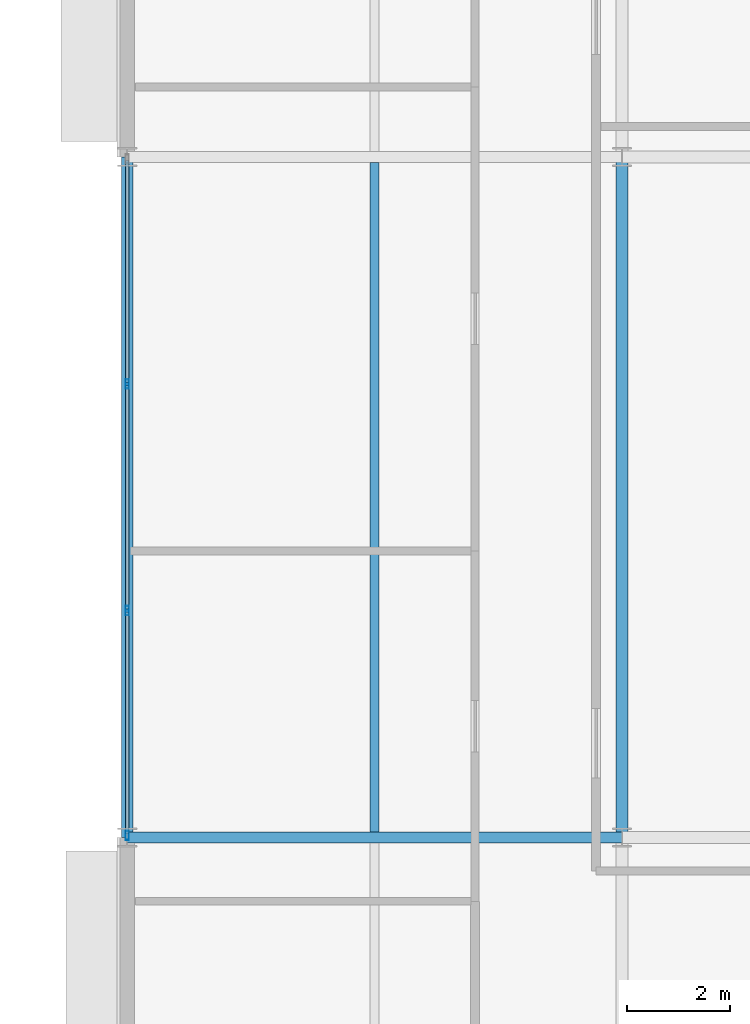
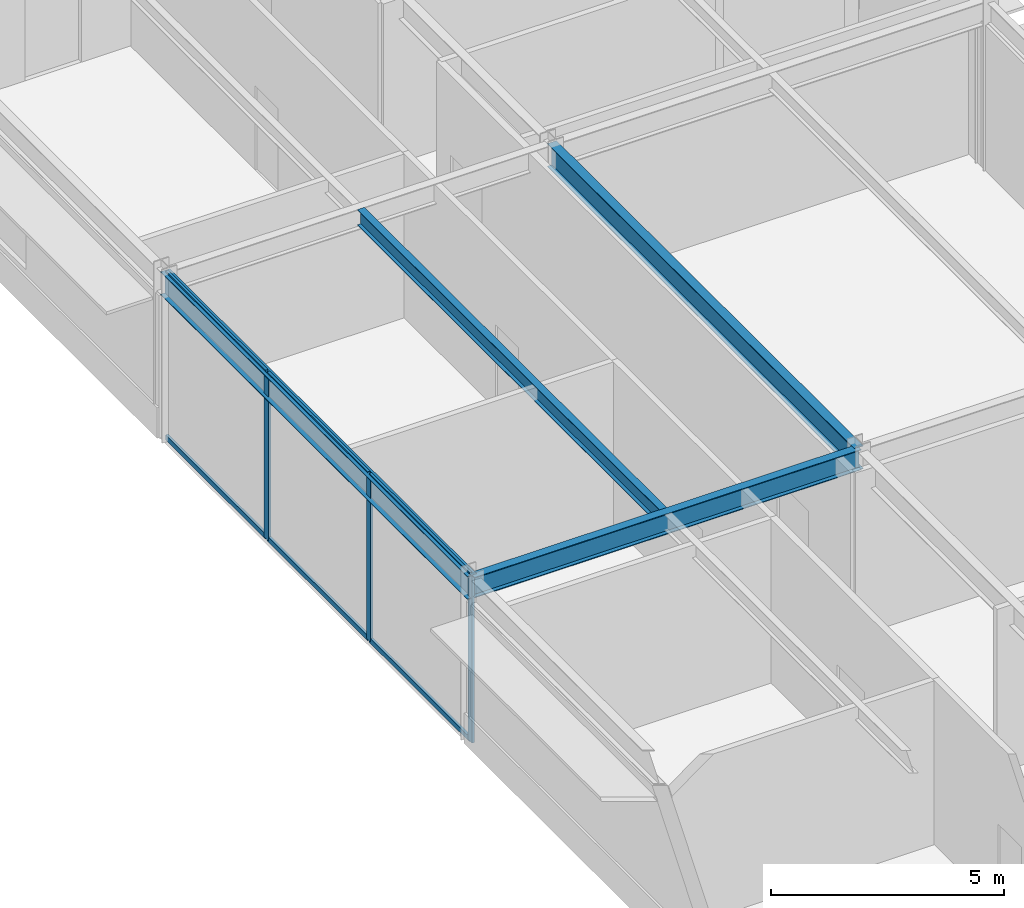
# One storey, part 52 of 89: 9 members, 4 beams, 1 element without a shape of its own.
"""IFC4 building model written with IfcOpenShell, lengths in metres."""

from ifc_helpers import new_model, si_unit, direction, frame, origin, origin_2d, place, context, subcontext, project, spatial, hollow_rectangle, i_section, extrude, material, material_profile, profile_set, type_object, element, aggregate, save


model = new_model("IFC4")

# Units and contexts
model_context = context("Model", 3, precision=1e-05, world=origin(), true_north=direction((0.0, 1.0)))
body_context = subcontext(model_context, "Body", "Model", "MODEL_VIEW")
ifc_project = project(units=[si_unit("LENGTHUNIT", "METRE"), si_unit("AREAUNIT", "SQUARE_METRE"), si_unit("VOLUMEUNIT", "CUBIC_METRE"), si_unit("PLANEANGLEUNIT", "RADIAN"), si_unit("MASSUNIT", "GRAM", prefix="KILO")], contexts=[model_context])

# Site, building, storey
site_placement = place(None, origin())
site = spatial("IfcSite", under=ifc_project, at=site_placement, CompositionType="ELEMENT")
building_placement = place(site_placement, origin())
building = spatial("IfcBuilding", under=site, at=building_placement, Name="Almandine Court Research Institute", CompositionType="ELEMENT")
storey_placement = place(building_placement, frame((0.0, 0.0, 18.89990234375)))
storey = spatial("IfcBuildingStorey", under=building, at=storey_placement, Name="L04", CompositionType="ELEMENT", Elevation=18.89990234375)

# Beams
ifc_material_1 = material(Name="Steel ASTM A992 Grade 50", Category="steel")
ifc_material_profile_1 = material_profile(ifc_material_1, i_section(OverallWidth=0.178955078125, OverallDepth=0.409912109375, WebThickness=0.009033203125, FlangeThickness=0.013916015625, at=origin_2d()), Name="W410x67")
ifc_profile_set_1 = profile_set([ifc_material_profile_1], Name="Steel ASTM A992 Grade 50")
beam_type_1 = type_object("IfcBeamType", Name="Beam-B-02", PredefinedType="JOIST", material=ifc_profile_set_1)
beam_1_placement = place(storey_placement, frame((158.39990234375, 57.702880859375, 4.1650390625), z_axis=(0.0, 1.0, 0.0), x_axis=(-1.0, 0.0, 0.0)))
element("IfcBeam", 1, at=beam_1_placement, inside=storey, type_object=beam_type_1, Name="L04 V4 Composite Secondary Beam", PredefinedType="JOIST", context=body_context, shape_type="SweptSolid", body=[
    extrude(i_section(OverallWidth=0.178955078125, OverallDepth=0.409912109375, WebThickness=0.009033203125, FlangeThickness=0.013916015625, at=origin_2d()), origin(), (0.0, 0.0, 1.0), 12.994140625),
])
ifc_material_profile_2 = material_profile(ifc_material_1, i_section(OverallWidth=0.22802734375, OverallDepth=0.60791015625, WebThickness=0.010986328125, FlangeThickness=0.01708984375, at=origin_2d()), Name="W610x113")
ifc_profile_set_2 = profile_set([ifc_material_profile_2], Name="Steel ASTM A992 Grade 50")
beam_type_2 = type_object("IfcBeamType", Name="Beam-G-03", PredefinedType="BEAM", material=ifc_profile_set_2)
for number, where, z_axis, x_axis, name in (
    (2, (153.60009765625, 57.60009765625, 4.066162109375), (0.0, 1.0, 0.0), (-1.0, 0.0, 0.0), "L04 V4 Primary Y Girder"),
    (3, (163.199951171875, 57.60009765625, 4.066162109375), (0.0, 1.0, 0.0), (-1.0, 0.0, 0.0), "L04 V4 Primary Y Girder"),
):
    element("IfcBeam", number, at=place(storey_placement, frame(where, z_axis=z_axis, x_axis=x_axis)), inside=storey, type_object=beam_type_2, Name=name, PredefinedType="BEAM", context=body_context, shape_type="SweptSolid", body=[
        extrude(i_section(OverallWidth=0.22802734375, OverallDepth=0.60791015625, WebThickness=0.010986328125, FlangeThickness=0.01708984375, at=origin_2d()), origin(), (0.0, 0.0, 1.0), 13.199951171875),
    ])
ifc_material_profile_3 = material_profile(ifc_material_1, i_section(OverallWidth=0.2109375, OverallDepth=0.5390625, WebThickness=0.011962890625, FlangeThickness=0.01904296875, at=origin_2d()), Name="W530x109")
ifc_profile_set_3 = profile_set([ifc_material_profile_3], Name="Steel ASTM A992 Grade 50")
beam_type_3 = type_object("IfcBeamType", Name="Beam-G-04", PredefinedType="BEAM", material=ifc_profile_set_3)
beam_2_placement = place(storey_placement, frame((153.60009765625, 57.60009765625, 4.10009765625), z_axis=(1.0, 0.0, 0.0), x_axis=(0.0, 1.0, 0.0)))
element("IfcBeam", 4, at=beam_2_placement, inside=storey, type_object=beam_type_3, Name="L04 V4 Primary X Girder", PredefinedType="BEAM", context=body_context, shape_type="SweptSolid", body=[
    extrude(i_section(OverallWidth=0.2109375, OverallDepth=0.5390625, WebThickness=0.011962890625, FlangeThickness=0.01904296875, at=origin_2d()), origin(), (0.0, 0.0, 1.0), 9.599853515625),
])

# Curtain wall, members
ifc_material_2 = material(Name="Unitised Curtain Wall Framing and Solar Glazing", Category="glass")
curtain_wall_type = type_object("IfcCurtainWallType", Name="CW-CWJ-16", PredefinedType="USERDEFINED", material=ifc_material_2)
curtain_wall_placement = place(storey_placement, origin())
curtain_wall = element("IfcCurtainWall", 5, at=curtain_wall_placement, inside=storey, type_object=curtain_wall_type, Name="L04 Wet Lab West Courtyard Jali Curtain Wall 6", ObjectType="SOLAR JALI SCREEN", PredefinedType="USERDEFINED")
ifc_material_3 = material(Name="Anodised Aluminium AW-6063-T6", Category="aluminium")
ifc_material_profile_4 = material_profile(ifc_material_3, hollow_rectangle(XDim=0.06494140625, YDim=0.179931640625, WallThickness=0.00390625, at=origin_2d()), Name="ALU RHS 65x180x4")
ifc_profile_set_4 = profile_set([ifc_material_profile_4], Name="Anodised Aluminium AW-6063-T6")
member_type_1 = type_object("IfcMemberType", Name="CWMul-65x180", PredefinedType="MULLION", material=ifc_profile_set_4)
member_1_placement = place(storey_placement, frame((153.60009765625, 57.636474609375, 0.0), z_axis=(0.0, 0.0, 1.0), x_axis=(-1.0, 0.0, 0.0)))
member_1 = element("IfcMember", 6, at=member_1_placement, type_object=member_type_1, Name="CWJ-16 mullion 1", PredefinedType="MULLION", context=body_context, shape_type="SweptSolid", body=[
    extrude(hollow_rectangle(XDim=0.06494140625, YDim=0.179931640625, WallThickness=0.00390625, at=origin_2d()), origin(), (0.0, 0.0, 1.0), 4.3701171875),
])
member_2_placement = place(storey_placement, frame((153.60009765625, 62.001220703125, 0.0), z_axis=(0.0, 0.0, 1.0), x_axis=(-1.0, 0.0, 0.0)))
member_2 = element("IfcMember", 7, at=member_2_placement, type_object=member_type_1, Name="CWJ-16 mullion 2", PredefinedType="MULLION", context=body_context, shape_type="SweptSolid", body=[
    extrude(hollow_rectangle(XDim=0.06494140625, YDim=0.179931640625, WallThickness=0.00390625, at=origin_2d()), origin(), (0.0, 0.0, 1.0), 4.3701171875),
])
member_3_placement = place(storey_placement, frame((153.60009765625, 66.398681640625, 0.0), z_axis=(0.0, 0.0, 1.0), x_axis=(-1.0, 0.0, 0.0)))
member_3 = element("IfcMember", 8, at=member_3_placement, type_object=member_type_1, Name="CWJ-16 mullion 3", PredefinedType="MULLION", context=body_context, shape_type="SweptSolid", body=[
    extrude(hollow_rectangle(XDim=0.06494140625, YDim=0.179931640625, WallThickness=0.00390625, at=origin_2d()), origin(), (0.0, 0.0, 1.0), 4.3701171875),
])
ifc_material_profile_5 = material_profile(ifc_material_3, hollow_rectangle(XDim=0.06494140625, YDim=0.1298828125, WallThickness=0.00390625, at=origin_2d()), Name="ALU RHS 65x130x4")
ifc_profile_set_5 = profile_set([ifc_material_profile_5], Name="Anodised Aluminium AW-6063-T6")
member_type_2 = type_object("IfcMemberType", Name="CWTrn-65x130", PredefinedType="NOTDEFINED", material=ifc_profile_set_5)
member_4_placement = place(storey_placement, frame((153.60009765625, 57.6689453125, 0.03271484375), z_axis=(0.0, 1.0, 0.0), x_axis=(-1.0, 0.0, 0.0)))
member_4 = element("IfcMember", 9, at=member_4_placement, type_object=member_type_2, Name="CWJ-16 transom 1.1", ObjectType="TRANSOM", PredefinedType="USERDEFINED", context=body_context, shape_type="SweptSolid", body=[
    extrude(hollow_rectangle(XDim=0.06494140625, YDim=0.1298828125, WallThickness=0.00390625, at=origin_2d()), origin(), (0.0, 0.0, 1.0), 4.2998046875),
])
member_5_placement = place(storey_placement, frame((153.60009765625, 57.6689453125, 4.337646484375), z_axis=(0.0, 1.0, 0.0), x_axis=(-1.0, 0.0, 0.0)))
member_5 = element("IfcMember", 10, at=member_5_placement, type_object=member_type_2, Name="CWJ-16 transom 1.2", ObjectType="TRANSOM", PredefinedType="USERDEFINED", context=body_context, shape_type="SweptSolid", body=[
    extrude(hollow_rectangle(XDim=0.06494140625, YDim=0.1298828125, WallThickness=0.00390625, at=origin_2d()), origin(), (0.0, 0.0, 1.0), 4.2998046875),
])
member_6_placement = place(storey_placement, frame((153.60009765625, 62.033935546875, 0.03271484375), z_axis=(0.0, 1.0, 0.0), x_axis=(-1.0, 0.0, 0.0)))
member_6 = element("IfcMember", 11, at=member_6_placement, type_object=member_type_2, Name="CWJ-16 transom 2.1", ObjectType="TRANSOM", PredefinedType="USERDEFINED", context=body_context, shape_type="SweptSolid", body=[
    extrude(hollow_rectangle(XDim=0.06494140625, YDim=0.1298828125, WallThickness=0.00390625, at=origin_2d()), origin(), (0.0, 0.0, 1.0), 4.332275390625),
])
member_7_placement = place(storey_placement, frame((153.60009765625, 62.033935546875, 4.337646484375), z_axis=(0.0, 1.0, 0.0), x_axis=(-1.0, 0.0, 0.0)))
member_7 = element("IfcMember", 12, at=member_7_placement, type_object=member_type_2, Name="CWJ-16 transom 2.2", ObjectType="TRANSOM", PredefinedType="USERDEFINED", context=body_context, shape_type="SweptSolid", body=[
    extrude(hollow_rectangle(XDim=0.06494140625, YDim=0.1298828125, WallThickness=0.00390625, at=origin_2d()), origin(), (0.0, 0.0, 1.0), 4.332275390625),
])
member_8_placement = place(storey_placement, frame((153.60009765625, 66.43115234375, 0.03271484375), z_axis=(0.0, 1.0, 0.0), x_axis=(-1.0, 0.0, 0.0)))
member_8 = element("IfcMember", 13, at=member_8_placement, type_object=member_type_2, Name="CWJ-16 transom 3.1", ObjectType="TRANSOM", PredefinedType="USERDEFINED", context=body_context, shape_type="SweptSolid", body=[
    extrude(hollow_rectangle(XDim=0.06494140625, YDim=0.1298828125, WallThickness=0.00390625, at=origin_2d()), origin(), (0.0, 0.0, 1.0), 4.2998046875),
])
member_9_placement = place(storey_placement, frame((153.60009765625, 66.43115234375, 4.337646484375), z_axis=(0.0, 1.0, 0.0), x_axis=(-1.0, 0.0, 0.0)))
member_9 = element("IfcMember", 14, at=member_9_placement, type_object=member_type_2, Name="CWJ-16 transom 3.2", ObjectType="TRANSOM", PredefinedType="USERDEFINED", context=body_context, shape_type="SweptSolid", body=[
    extrude(hollow_rectangle(XDim=0.06494140625, YDim=0.1298828125, WallThickness=0.00390625, at=origin_2d()), origin(), (0.0, 0.0, 1.0), 4.2998046875),
])
aggregate(curtain_wall, [member_1, member_2, member_3, member_4, member_5, member_6, member_7, member_8, member_9])

save(model, "model.ifc")
